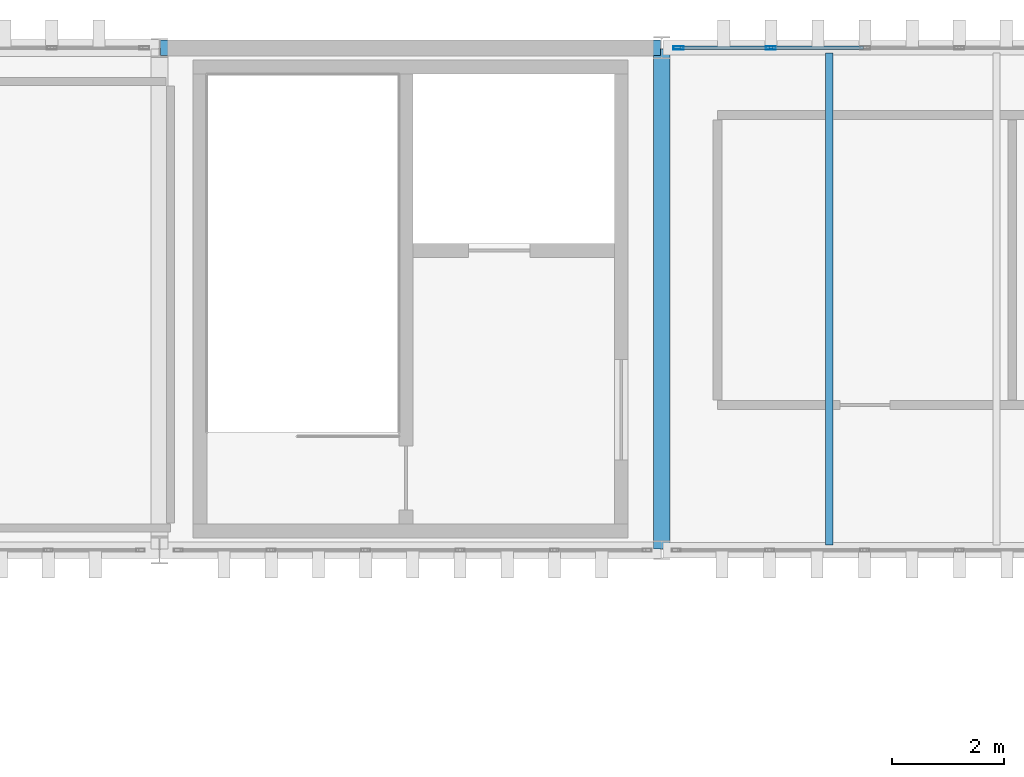
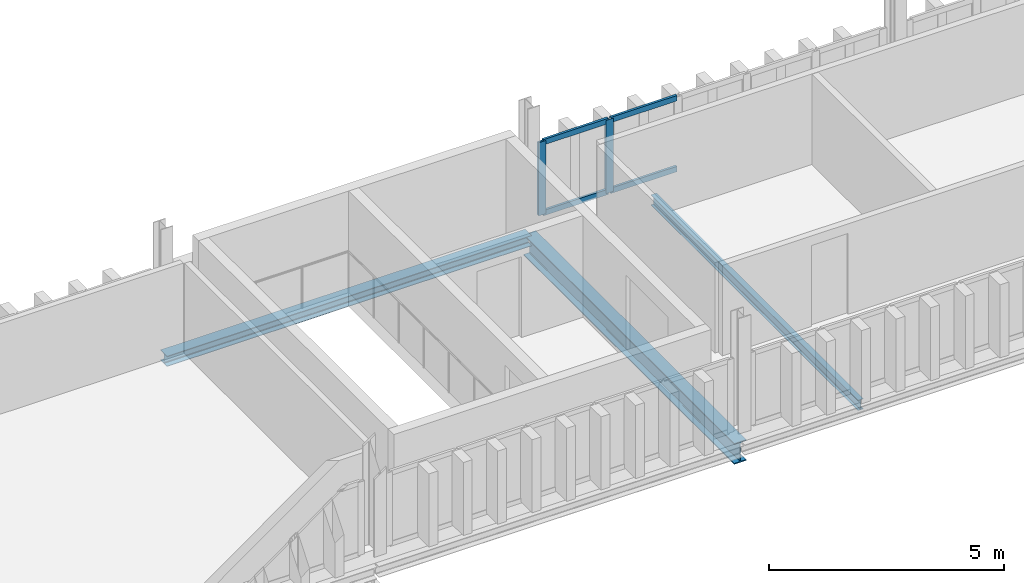
# One storey, part 39 of 58: 6 members, 3 beams, 1 element without a shape of its own.
"""IFC4 building model written with IfcOpenShell, lengths in metres."""

from ifc_helpers import new_model, si_unit, direction, frame, origin, origin_2d, place, context, subcontext, project, spatial, hollow_rectangle, i_section, extrude, material, layer, layer_set, material_profile, profile_set, type_object, element, aggregate, save


model = new_model("IFC4")

# Units and contexts
model_context = context("Model", 3, precision=1e-05, world=origin(), true_north=direction((0.0, 1.0)))
body_context = subcontext(model_context, "Body", "Model", "MODEL_VIEW")
ifc_project = project(units=[si_unit("LENGTHUNIT", "METRE"), si_unit("AREAUNIT", "SQUARE_METRE"), si_unit("VOLUMEUNIT", "CUBIC_METRE"), si_unit("PLANEANGLEUNIT", "RADIAN"), si_unit("MASSUNIT", "GRAM", prefix="KILO")], contexts=[model_context])

# Site, building, storey
site_placement = place(None, origin())
site = spatial("IfcSite", under=ifc_project, at=site_placement, CompositionType="ELEMENT")
building_placement = place(site_placement, origin())
building = spatial("IfcBuilding", under=site, at=building_placement, Name="Barlavento Convention Centre", CompositionType="ELEMENT")
storey_placement = place(building_placement, frame((0.0, 0.0, 26.800048828125)))
storey = spatial("IfcBuildingStorey", under=building, at=storey_placement, Name="L05", CompositionType="ELEMENT", Elevation=26.800048828125)

# Curtain wall, members
ifc_material_1 = material(Name="Powder-coated aluminium and Low-E glass", Category="aluminium")
ifc_layer = layer(ifc_material_1, 0.18994140625)
ifc_layer_set = layer_set([ifc_layer], Name="ARC-CW-CONF-L05")
curtain_wall_type = type_object("IfcCurtainWallType", Name="ARC-CW-CONF-L05", PredefinedType="NOTDEFINED", material=ifc_layer_set)
curtain_wall_placement = place(storey_placement, origin())
curtain_wall = element("IfcCurtainWall", 1, at=curtain_wall_placement, inside=storey, type_object=curtain_wall_type, Name="L05 unitised curtain wall CW10", PredefinedType="NOTDEFINED")
ifc_material_2 = material(Name="Powder-coated aluminium", Category="aluminium")
ifc_material_profile_1 = material_profile(ifc_material_2, hollow_rectangle(XDim=0.06005859375, YDim=0.179931640625, WallThickness=0.0048828125, at=origin_2d()), Name="AL-MULL 60x180x5")
ifc_profile_set_1 = profile_set([ifc_material_profile_1], Name="Powder-coated aluminium")
member_type_1 = type_object("IfcMemberType", Name="ARC-CWM-60X180", PredefinedType="MULLION", material=ifc_profile_set_1)
member_1_placement = place(storey_placement, frame((153.300048828125, 99.0, 0.0), z_axis=(0.0, 0.0, 1.0), x_axis=(0.0, 1.0, 0.0)))
member_1 = element("IfcMember", 2, at=member_1_placement, type_object=member_type_1, Name="CW10 mullion 1", PredefinedType="MULLION", context=body_context, shape_type="SweptSolid", body=[
    extrude(hollow_rectangle(XDim=0.06005859375, YDim=0.179931640625, WallThickness=0.0048828125, at=origin_2d()), origin(), (0.0, 0.0, 1.0), 1.89990234375),
])
member_2_placement = place(storey_placement, frame((154.95703125, 99.0, 0.0), z_axis=(0.0, 0.0, 1.0), x_axis=(0.0, 1.0, 0.0)))
member_2 = element("IfcMember", 3, at=member_2_placement, type_object=member_type_1, Name="CW10 mullion 2", PredefinedType="MULLION", context=body_context, shape_type="SweptSolid", body=[
    extrude(hollow_rectangle(XDim=0.06005859375, YDim=0.179931640625, WallThickness=0.0048828125, at=origin_2d()), origin(), (0.0, 0.0, 1.0), 1.89990234375),
])
ifc_material_profile_2 = material_profile(ifc_material_2, hollow_rectangle(XDim=0.06005859375, YDim=0.139892578125, WallThickness=0.00390625, at=origin_2d()), Name="AL-TRAN 60x140x4")
ifc_profile_set_2 = profile_set([ifc_material_profile_2], Name="Powder-coated aluminium")
member_type_2 = type_object("IfcMemberType", Name="ARC-CWT-60X140", PredefinedType="USERDEFINED", material=ifc_profile_set_2)
member_3_placement = place(storey_placement, frame((153.330078125, 99.0, 0.030029296875), z_axis=(1.0, 0.0, 0.0), x_axis=(0.0, 1.0, 0.0)))
member_3 = element("IfcMember", 4, at=member_3_placement, type_object=member_type_2, Name="CW10 transom 1.1", ObjectType="TRANSOM", PredefinedType="USERDEFINED", context=body_context, shape_type="SweptSolid", body=[
    extrude(hollow_rectangle(XDim=0.06005859375, YDim=0.139892578125, WallThickness=0.00390625, at=origin_2d()), origin(), (0.0, 0.0, 1.0), 1.596923828125),
])
member_4_placement = place(storey_placement, frame((153.330078125, 99.0, 1.869873046875), z_axis=(1.0, 0.0, 0.0), x_axis=(0.0, 1.0, 0.0)))
member_4 = element("IfcMember", 5, at=member_4_placement, type_object=member_type_2, Name="CW10 transom 1.2", ObjectType="TRANSOM", PredefinedType="USERDEFINED", context=body_context, shape_type="SweptSolid", body=[
    extrude(hollow_rectangle(XDim=0.06005859375, YDim=0.139892578125, WallThickness=0.00390625, at=origin_2d()), origin(), (0.0, 0.0, 1.0), 1.596923828125),
])
member_5_placement = place(storey_placement, frame((154.987060546875, 99.0, 0.030029296875), z_axis=(1.0, 0.0, 0.0), x_axis=(0.0, 1.0, 0.0)))
member_5 = element("IfcMember", 6, at=member_5_placement, type_object=member_type_2, Name="CW10 transom 2.1", ObjectType="TRANSOM", PredefinedType="USERDEFINED", context=body_context, shape_type="SweptSolid", body=[
    extrude(hollow_rectangle(XDim=0.06005859375, YDim=0.139892578125, WallThickness=0.00390625, at=origin_2d()), origin(), (0.0, 0.0, 1.0), 1.626953125),
])
member_6_placement = place(storey_placement, frame((154.987060546875, 99.0, 1.869873046875), z_axis=(1.0, 0.0, 0.0), x_axis=(0.0, 1.0, 0.0)))
member_6 = element("IfcMember", 7, at=member_6_placement, type_object=member_type_2, Name="CW10 transom 2.2", ObjectType="TRANSOM", PredefinedType="USERDEFINED", context=body_context, shape_type="SweptSolid", body=[
    extrude(hollow_rectangle(XDim=0.06005859375, YDim=0.139892578125, WallThickness=0.00390625, at=origin_2d()), origin(), (0.0, 0.0, 1.0), 1.626953125),
])
aggregate(curtain_wall, [member_1, member_2, member_3, member_4, member_5, member_6])

# Beams
ifc_material_3 = material(Name="Steel S355", Category="steel")
ifc_material_profile_3 = material_profile(ifc_material_3, i_section(OverallWidth=0.135009765625, OverallDepth=0.27001953125, WebThickness=0.006591796875, FlangeThickness=0.01025390625, FilletRadius=0.014892578125, at=origin_2d()), Name="IPE 270")
ifc_profile_set_3 = profile_set([ifc_material_profile_3], Name="Steel S355")
beam_type_1 = type_object("IfcBeamType", Name="STR-BM-JST-IPE270", PredefinedType="JOIST", material=ifc_profile_set_3)
beam_1_placement = place(storey_placement, frame((156.0, 90.094970703125, -0.4951171875), z_axis=(0.0, 1.0, 0.0), x_axis=(-1.0, 0.0, 0.0)))
element("IfcBeam", 8, at=beam_1_placement, inside=storey, type_object=beam_type_1, Name="L05 composite floor joist SJ08", PredefinedType="JOIST", context=body_context, shape_type="SweptSolid", body=[
    extrude(i_section(OverallWidth=0.135009765625, OverallDepth=0.27001953125, WebThickness=0.006591796875, FlangeThickness=0.01025390625, FilletRadius=0.014892578125, at=origin_2d()), origin(), (0.0, 0.0, 1.0), 8.81005859375),
])
ifc_material_profile_4 = material_profile(ifc_material_3, i_section(OverallWidth=0.300048828125, OverallDepth=0.5400390625, WebThickness=0.012451171875, FlangeThickness=0.02392578125, FilletRadius=0.027099609375, at=origin_2d()), Name="HEA 550")
ifc_profile_set_4 = profile_set([ifc_material_profile_4], Name="Steel S355")
beam_type_2 = type_object("IfcBeamType", Name="STR-BM-PRI-HEA550", PredefinedType="BEAM", material=ifc_profile_set_4)
beam_2_placement = place(storey_placement, frame((153.0, 90.02001953125, -0.630126953125), z_axis=(0.0, 1.0, 0.0), x_axis=(-1.0, 0.0, 0.0)))
element("IfcBeam", 9, at=beam_2_placement, inside=storey, type_object=beam_type_2, Name="L05 grid girder BG19", PredefinedType="BEAM", context=body_context, shape_type="SweptSolid", body=[
    extrude(i_section(OverallWidth=0.300048828125, OverallDepth=0.5400390625, WebThickness=0.012451171875, FlangeThickness=0.02392578125, FilletRadius=0.027099609375, at=origin_2d()), origin(), (0.0, 0.0, 1.0), 8.9599609375),
])
ifc_material_profile_5 = material_profile(ifc_material_3, i_section(OverallWidth=0.280029296875, OverallDepth=0.27001953125, WebThickness=0.008056640625, FlangeThickness=0.012939453125, FilletRadius=0.02392578125, at=origin_2d()), Name="HEA 280")
ifc_profile_set_5 = profile_set([ifc_material_profile_5], Name="Steel S355")
beam_type_3 = type_object("IfcBeamType", Name="STR-BM-SPN-HEA280", PredefinedType="SPANDREL", material=ifc_profile_set_5)
beam_3_placement = place(storey_placement, frame((144.02001953125, 99.0, -0.4951171875), z_axis=(1.0, 0.0, 0.0), x_axis=(0.0, 1.0, 0.0)))
element("IfcBeam", 10, at=beam_3_placement, inside=storey, type_object=beam_type_3, Name="L05 primary girder SP03", PredefinedType="SPANDREL", context=body_context, shape_type="SweptSolid", body=[
    extrude(i_section(OverallWidth=0.280029296875, OverallDepth=0.27001953125, WebThickness=0.008056640625, FlangeThickness=0.012939453125, FilletRadius=0.02392578125, at=origin_2d()), origin(), (0.0, 0.0, 1.0), 8.9599609375),
])

save(model, "model.ifc")
